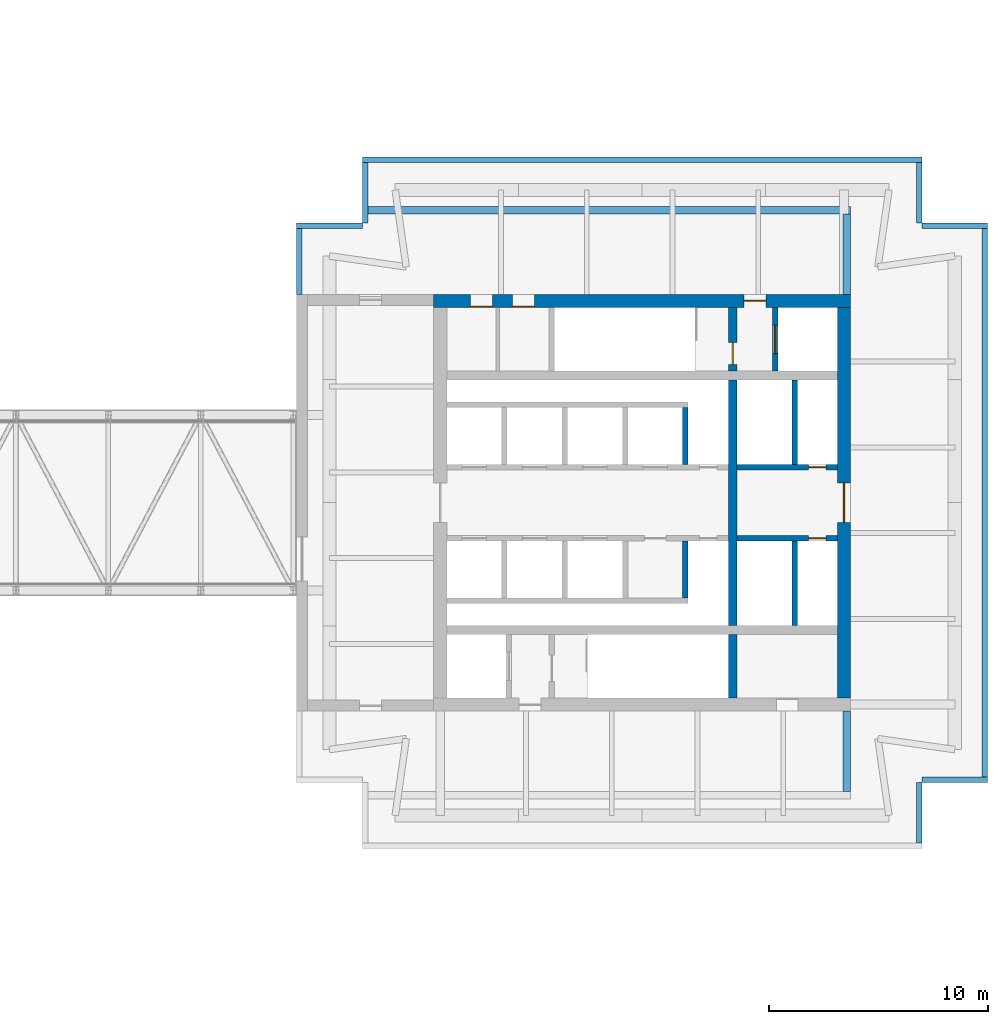
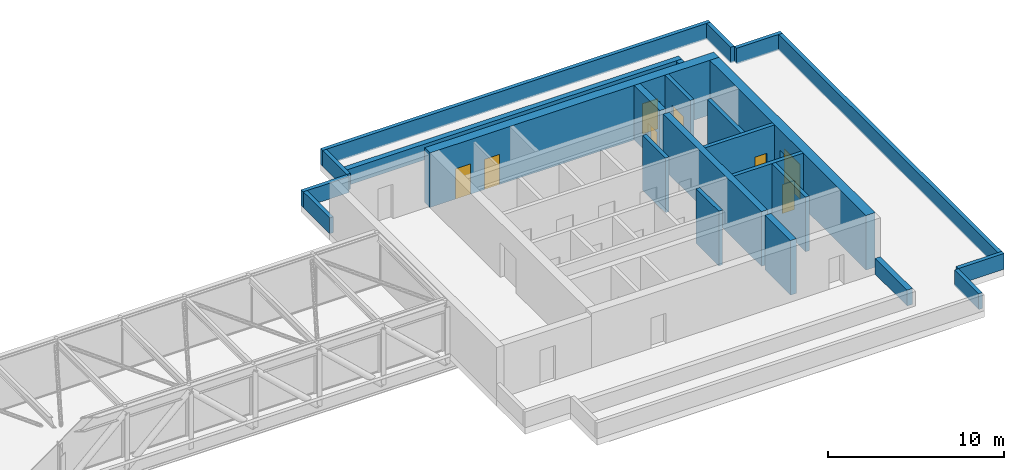
# One storey, part 17 of 19: 24 walls, 8 doors, 8 openings.
"""IFC4 building model written with IfcOpenShell, lengths in metres."""

from ifc_helpers import new_model, si_unit, direction, frame, frame_2d, origin, place, context, subcontext, project, spatial, rectangle, extrude, material, layer, layer_set, type_object, element, fill, save


model = new_model("IFC4")

# Units and contexts
model_context = context("Model", 3, precision=1e-05, world=origin(), true_north=direction((0.0, 1.0)))
body_context = subcontext(model_context, "Body", "Model", "MODEL_VIEW")
ifc_project = project(units=[si_unit("LENGTHUNIT", "METRE"), si_unit("AREAUNIT", "SQUARE_METRE"), si_unit("VOLUMEUNIT", "CUBIC_METRE"), si_unit("PLANEANGLEUNIT", "RADIAN"), si_unit("MASSUNIT", "GRAM", prefix="KILO")], contexts=[model_context])

# Site, building, storey
site_placement = place(None, origin())
site = spatial("IfcSite", under=ifc_project, at=site_placement, CompositionType="ELEMENT")
building_placement = place(site_placement, origin())
building = spatial("IfcBuilding", under=site, at=building_placement, Name="Ostroluk Exchange", CompositionType="ELEMENT")
storey_placement = place(building_placement, frame((0.0, 0.0, 131.199951171875)))
storey = spatial("IfcBuildingStorey", under=building, at=storey_placement, Name="L33", CompositionType="ELEMENT", Elevation=131.199951171875)

# Walls
ifc_material_1 = material(Name="Concrete C50/60", Category="concrete")
ifc_layer_1 = layer(ifc_material_1, 0.39990234375)
ifc_layer_set_1 = layer_set([ifc_layer_1], Name="Core cross wall 400 C50/60")
wall_type_1 = type_object("IfcWallType", Name="Core cross wall 400 C50/60", PredefinedType="SHEAR", material=ifc_layer_set_1)
wall_1_placement = place(storey_placement, frame((121.1298828125, 37.10009765625, 0.0), z_axis=(0.0, 0.0, 1.0), x_axis=(0.0, 1.0, 0.0)))
element("IfcWall", 1, at=wall_1_placement, inside=storey, type_object=wall_type_1, Name="T2 core wall YE1", PredefinedType="SHEAR", context=body_context, shape_type="SweptSolid", body=[
    extrude(rectangle(XDim=2.89990234375, YDim=0.39990234375, at=frame_2d((1.449951171875, 0.0))), origin(), (0.0, 0.0, 1.0), 3.800048828125),
])
wall_2_placement = place(storey_placement, frame((121.1298828125, 40.39990234375, 0.0), z_axis=(0.0, 0.0, 1.0), x_axis=(0.0, 1.0, 0.0)))
element("IfcWall", 2, at=wall_2_placement, inside=storey, type_object=wall_type_1, Name="T2 core wall YE2", PredefinedType="SHEAR", context=body_context, shape_type="SweptSolid", body=[
    extrude(rectangle(XDim=11.2001953125, YDim=0.39990234375, at=frame_2d((5.60009765625, 0.0))), origin(), (0.0, 0.0, 1.0), 3.800048828125),
])

# Wall, opening, door
wall_3_placement = place(storey_placement, frame((121.1298828125, 52.0, 0.0), z_axis=(0.0, 0.0, 1.0), x_axis=(0.0, 1.0, 0.0)))
wall_3 = element("IfcWall", 3, at=wall_3_placement, inside=storey, type_object=wall_type_1, Name="T2 core wall YE3", PredefinedType="SHEAR", context=body_context, shape_type="SweptSolid", body=[
    extrude(rectangle(XDim=2.89990234375, YDim=0.39990234375, at=frame_2d((1.449951171875, 0.0))), origin(), (0.0, 0.0, 1.0), 3.800048828125),
])
opening_1_placement = place(wall_3_placement, frame((0.300048828125, 0.0, 0.0)))
opening_1 = element("IfcOpeningElement", 4, at=opening_1_placement, cuts=wall_3, Name="Opening FD60", PredefinedType="OPENING", context=body_context, shape_type="SweptSolid", body=[
    extrude(rectangle(XDim=1.0, YDim=2.10009765625, at=frame_2d((0.5, 1.050048828125))), frame((0.0, 0.2099609375, 0.0), z_axis=(0.0, -1.0, 0.0), x_axis=(1.0, 0.0, 0.0)), (0.0, 0.0, 1.0), 0.419921875),
])
ifc_material_2 = material(Name="Steel", Category="steel")
door_type_1 = type_object("IfcDoorType", Name="Fire door EI 60 1000 x 2100", OperationType="SINGLE_SWING_LEFT", PredefinedType="DOOR", material=ifc_material_2)
door_1_placement = place(opening_1_placement, origin())
door_1 = element("IfcDoor", 5, at=door_1_placement, inside=storey, type_object=door_type_1, Name="Stair T2-S2 door", OperationType="SINGLE_SWING_LEFT", OverallHeight=2.10009765625, OverallWidth=1.0, PredefinedType="DOOR", context=body_context, shape_type="SweptSolid", body=[
    extrude(rectangle(XDim=1.0, YDim=2.10009765625, at=frame_2d((0.5, 1.050048828125))), frame((0.0, 0.02490234375, 0.0), z_axis=(0.0, -1.0, 0.0), x_axis=(1.0, 0.0, 0.0)), (0.0, 0.0, 1.0), 0.050048828125),
])
fill(opening_1, door_1)

ifc_material_3 = material(Name="Concrete C40/50", Category="concrete")
ifc_layer_2 = layer(ifc_material_3, 0.25)
ifc_layer_set_2 = layer_set([ifc_layer_2], Name="Core shaft wall 250")
wall_type_2 = type_object("IfcWallType", Name="Core shaft wall 250", PredefinedType="SHEAR", material=ifc_layer_set_2)
wall_4_placement = place(storey_placement, frame((123.074951171875, 52.0, 0.0), z_axis=(0.0, 0.0, 1.0), x_axis=(0.0, 1.0, 0.0)))
wall_4 = element("IfcWall", 6, at=wall_4_placement, inside=storey, type_object=wall_type_2, Name="Firefighting lift shaft wall", PredefinedType="SHEAR", context=body_context, shape_type="SweptSolid", body=[
    extrude(rectangle(XDim=2.89990234375, YDim=0.25, at=frame_2d((1.449951171875, 0.0))), origin(), (0.0, 0.0, 1.0), 3.800048828125),
])
opening_2_placement = place(wall_4_placement, frame((0.800048828125, 0.0, 0.0)))
opening_2 = element("IfcOpeningElement", 7, at=opening_2_placement, cuts=wall_4, Name="Opening LD2", PredefinedType="OPENING", context=body_context, shape_type="SweptSolid", body=[
    extrude(rectangle(XDim=1.300048828125, YDim=2.199951171875, at=frame_2d((0.64990234375, 1.10009765625))), frame((0.0, 0.135009765625, 0.0), z_axis=(0.0, -1.0, 0.0), x_axis=(1.0, 0.0, 0.0)), (0.0, 0.0, 1.0), 0.27001953125),
])
ifc_material_4 = material(Name="Stainless steel", Category="steel")
door_type_2 = type_object("IfcDoorType", Name="Lift landing door E 60 1300 x 2200", OperationType="DOUBLE_DOOR_SLIDING", PredefinedType="DOOR", material=ifc_material_4)
door_2_placement = place(opening_2_placement, origin())
door_2 = element("IfcDoor", 8, at=door_2_placement, inside=storey, type_object=door_type_2, Name="Lift HF2 landing door", OperationType="DOUBLE_DOOR_SLIDING", OverallHeight=2.199951171875, OverallWidth=1.300048828125, PredefinedType="DOOR", context=body_context, shape_type="SweptSolid", body=[
    extrude(rectangle(XDim=1.300048828125, YDim=2.199951171875, at=frame_2d((0.64990234375, 1.10009765625))), frame((0.0, 0.02490234375, 0.0), z_axis=(0.0, -1.0, 0.0), x_axis=(1.0, 0.0, 0.0)), (0.0, 0.0, 1.0), 0.050048828125),
])
fill(opening_2, door_2)

# Walls
for number, where, z_axis, x_axis, name in (
    (9, (118.97509765625, 47.75, 0.0), (0.0, 0.0, 1.0), (0.0, 1.0, 0.0), "Lift shaft wall"),
    (10, (118.97509765625, 44.25, 0.0), (0.0, 0.0, 1.0), (0.0, -1.0, 0.0), "Lift shaft wall"),
):
    element("IfcWall", number, at=place(storey_placement, frame(where, z_axis=z_axis, x_axis=x_axis)), inside=storey, type_object=wall_type_2, Name=name, PredefinedType="SHEAR", context=body_context, shape_type="SweptSolid", body=[
        extrude(rectangle(XDim=2.60009765625, YDim=0.25, at=frame_2d((1.300048828125, 0.0))), origin(), (0.0, 0.0, 1.0), 3.800048828125),
    ])
wall_5_placement = place(storey_placement, frame((123.955078125, 47.75, 0.0), z_axis=(0.0, 0.0, 1.0), x_axis=(0.0, 1.0, 0.0)))
element("IfcWall", 11, at=wall_5_placement, inside=storey, type_object=wall_type_2, Name="Lift shaft wall", PredefinedType="SHEAR", context=body_context, shape_type="SweptSolid", body=[
    extrude(rectangle(XDim=3.85009765625, YDim=0.25, at=frame_2d((1.925048828125, 0.0))), origin(), (0.0, 0.0, 1.0), 3.800048828125),
])

# Wall, opening, door
wall_6_placement = place(storey_placement, frame((121.330078125, 47.625, 0.0), z_axis=(0.0, 0.0, 1.0), x_axis=(1.0, 0.0, 0.0)))
wall_6 = element("IfcWall", 12, at=wall_6_placement, inside=storey, type_object=wall_type_2, Name="Lift shaft front wall", PredefinedType="SHEAR", context=body_context, shape_type="SweptSolid", body=[
    extrude(rectangle(XDim=4.56982421875, YDim=0.25, at=frame_2d((2.284912109375, 0.0))), origin(), (0.0, 0.0, 1.0), 3.800048828125),
])
opening_3_placement = place(wall_6_placement, frame((3.260009765625, 0.0, 0.0)))
opening_3 = element("IfcOpeningElement", 13, at=opening_3_placement, cuts=wall_6, Name="Opening RD60", PredefinedType="OPENING", context=body_context, shape_type="SweptSolid", body=[
    extrude(rectangle(XDim=0.800048828125, YDim=2.0, at=frame_2d((0.39990234375, 1.0))), frame((0.0, 0.135009765625, 0.0), z_axis=(0.0, -1.0, 0.0), x_axis=(1.0, 0.0, 0.0)), (0.0, 0.0, 1.0), 0.27001953125),
])
ifc_material_5 = material(Name="Steel", Category="steel")
door_type_3 = type_object("IfcDoorType", Name="Riser access door EI 60 800 x 2000", OperationType="SINGLE_SWING_LEFT", PredefinedType="DOOR", material=ifc_material_5)
door_3_placement = place(opening_3_placement, origin())
door_3 = element("IfcDoor", 14, at=door_3_placement, inside=storey, type_object=door_type_3, Name="Riser access door", OperationType="SINGLE_SWING_RIGHT", OverallHeight=2.0, OverallWidth=0.800048828125, PredefinedType="DOOR", context=body_context, shape_type="SweptSolid", body=[
    extrude(rectangle(XDim=0.800048828125, YDim=2.0, at=frame_2d((0.39990234375, 1.0))), frame((0.0, 0.02490234375, 0.0), z_axis=(0.0, -1.0, 0.0), x_axis=(1.0, 0.0, 0.0)), (0.0, 0.0, 1.0), 0.050048828125),
])
fill(opening_3, door_3)

# Wall
wall_7_placement = place(storey_placement, frame((123.955078125, 44.25, 0.0), z_axis=(0.0, 0.0, 1.0), x_axis=(0.0, -1.0, 0.0)))
element("IfcWall", 15, at=wall_7_placement, inside=storey, type_object=wall_type_2, Name="Lift shaft wall", PredefinedType="SHEAR", context=body_context, shape_type="SweptSolid", body=[
    extrude(rectangle(XDim=3.85009765625, YDim=0.25, at=frame_2d((1.925048828125, 0.0))), origin(), (0.0, 0.0, 1.0), 3.800048828125),
])

# Wall, opening, door
wall_8_placement = place(storey_placement, frame((121.330078125, 44.375, 0.0), z_axis=(0.0, 0.0, 1.0), x_axis=(1.0, 0.0, 0.0)))
wall_8 = element("IfcWall", 16, at=wall_8_placement, inside=storey, type_object=wall_type_2, Name="Lift shaft front wall", PredefinedType="SHEAR", context=body_context, shape_type="SweptSolid", body=[
    extrude(rectangle(XDim=4.56982421875, YDim=0.25, at=frame_2d((2.284912109375, 0.0))), origin(), (0.0, 0.0, 1.0), 3.800048828125),
])
opening_4_placement = place(wall_8_placement, frame((3.260009765625, 0.0, 0.0)))
opening_4 = element("IfcOpeningElement", 17, at=opening_4_placement, cuts=wall_8, Name="Opening RD60", PredefinedType="OPENING", context=body_context, shape_type="SweptSolid", body=[
    extrude(rectangle(XDim=0.800048828125, YDim=2.0, at=frame_2d((0.39990234375, 1.0))), frame((0.0, 0.135009765625, 0.0), z_axis=(0.0, -1.0, 0.0), x_axis=(1.0, 0.0, 0.0)), (0.0, 0.0, 1.0), 0.27001953125),
])
door_4_placement = place(opening_4_placement, origin())
door_4 = element("IfcDoor", 18, at=door_4_placement, inside=storey, type_object=door_type_3, Name="Riser access door", OperationType="SINGLE_SWING_RIGHT", OverallHeight=2.0, OverallWidth=0.800048828125, PredefinedType="DOOR", context=body_context, shape_type="SweptSolid", body=[
    extrude(rectangle(XDim=0.800048828125, YDim=2.0, at=frame_2d((0.39990234375, 1.0))), frame((0.0, 0.02490234375, 0.0), z_axis=(0.0, -1.0, 0.0), x_axis=(1.0, 0.0, 0.0)), (0.0, 0.0, 1.0), 0.050048828125),
])
fill(opening_4, door_4)

# Wall, openings, doors
ifc_material_6 = material(Name="Concrete C50/60", Category="concrete")
ifc_layer_3 = layer(ifc_material_6, 0.60009765625)
ifc_layer_set_3 = layer_set([ifc_layer_3], Name="Core wall 600 C50/60")
wall_type_3 = type_object("IfcWallType", Name="Core wall 600 C50/60", PredefinedType="SHEAR", material=ifc_layer_set_3)
wall_9_placement = place(storey_placement, frame((107.5, 55.199951171875, 0.0), z_axis=(0.0, 0.0, 1.0), x_axis=(1.0, 0.0, 0.0)))
wall_9 = element("IfcWall", 19, at=wall_9_placement, inside=storey, type_object=wall_type_3, Name="T2 core wall N", PredefinedType="SHEAR", context=body_context, shape_type="SweptSolid", body=[
    extrude(rectangle(XDim=19.0, YDim=0.60009765625, at=frame_2d((9.5, 0.0))), origin(), (0.0, 0.0, 1.0), 3.800048828125),
])
opening_5_placement = place(wall_9_placement, frame((14.139892578125, 0.0, 0.0)))
opening_5 = element("IfcOpeningElement", 20, at=opening_5_placement, cuts=wall_9, Name="Opening FD60", PredefinedType="OPENING", context=body_context, shape_type="SweptSolid", body=[
    extrude(rectangle(XDim=1.0, YDim=2.10009765625, at=frame_2d((0.5, 1.050048828125))), frame((0.0, 0.31005859375, 0.0), z_axis=(0.0, -1.0, 0.0), x_axis=(1.0, 0.0, 0.0)), (0.0, 0.0, 1.0), 0.6201171875),
])
opening_6_placement = place(wall_9_placement, frame((1.675048828125, 0.0, 0.0)))
opening_6 = element("IfcOpeningElement", 21, at=opening_6_placement, cuts=wall_9, Name="Opening FD60", PredefinedType="OPENING", context=body_context, shape_type="SweptSolid", body=[
    extrude(rectangle(XDim=1.0, YDim=2.10009765625, at=frame_2d((0.5, 1.050048828125))), frame((0.0, 0.31005859375, 0.0), z_axis=(0.0, -1.0, 0.0), x_axis=(1.0, 0.0, 0.0)), (0.0, 0.0, 1.0), 0.6201171875),
])
opening_7_placement = place(wall_9_placement, frame((3.58740234375, 0.0, 0.0)))
opening_7 = element("IfcOpeningElement", 22, at=opening_7_placement, cuts=wall_9, Name="Opening FD60", PredefinedType="OPENING", context=body_context, shape_type="SweptSolid", body=[
    extrude(rectangle(XDim=1.0, YDim=2.10009765625, at=frame_2d((0.5, 1.050048828125))), frame((0.0, 0.31005859375, 0.0), z_axis=(0.0, -1.0, 0.0), x_axis=(1.0, 0.0, 0.0)), (0.0, 0.0, 1.0), 0.6201171875),
])
door_5_placement = place(opening_5_placement, origin())
door_5 = element("IfcDoor", 23, at=door_5_placement, inside=storey, type_object=door_type_1, Name="Firefighting lobby door", OperationType="SINGLE_SWING_RIGHT", OverallHeight=2.10009765625, OverallWidth=1.0, PredefinedType="DOOR", context=body_context, shape_type="SweptSolid", body=[
    extrude(rectangle(XDim=1.0, YDim=2.10009765625, at=frame_2d((0.5, 1.050048828125))), frame((0.0, 0.02490234375, 0.0), z_axis=(0.0, -1.0, 0.0), x_axis=(1.0, 0.0, 0.0)), (0.0, 0.0, 1.0), 0.050048828125),
])
fill(opening_5, door_5)
door_6_placement = place(opening_6_placement, origin())
door_6 = element("IfcDoor", 24, at=door_6_placement, inside=storey, type_object=door_type_1, Name="Guest pantry door", OperationType="SINGLE_SWING_LEFT", OverallHeight=2.10009765625, OverallWidth=1.0, PredefinedType="DOOR", context=body_context, shape_type="SweptSolid", body=[
    extrude(rectangle(XDim=1.0, YDim=2.10009765625, at=frame_2d((0.5, 1.050048828125))), frame((0.0, -0.23974609375, 0.0), z_axis=(0.0, -1.0, 0.0), x_axis=(1.0, 0.0, 0.0)), (0.0, 0.0, 1.0), 0.050048828125),
])
fill(opening_6, door_6)
door_7_placement = place(opening_7_placement, origin())
door_7 = element("IfcDoor", 25, at=door_7_placement, inside=storey, type_object=door_type_1, Name="Ice and vending room door", OperationType="SINGLE_SWING_LEFT", OverallHeight=2.10009765625, OverallWidth=1.0, PredefinedType="DOOR", context=body_context, shape_type="SweptSolid", body=[
    extrude(rectangle(XDim=1.0, YDim=2.10009765625, at=frame_2d((0.5, 1.050048828125))), frame((0.0, -0.23974609375, 0.0), z_axis=(0.0, -1.0, 0.0), x_axis=(1.0, 0.0, 0.0)), (0.0, 0.0, 1.0), 0.050048828125),
])
fill(opening_7, door_7)

# Wall, opening, door
wall_10_placement = place(storey_placement, frame((126.199951171875, 37.10009765625, 0.0), z_axis=(0.0, 0.0, 1.0), x_axis=(0.0, 1.0, 0.0)))
wall_10 = element("IfcWall", 26, at=wall_10_placement, inside=storey, type_object=wall_type_3, Name="T2 core wall E", PredefinedType="SHEAR", context=body_context, shape_type="SweptSolid", body=[
    extrude(rectangle(XDim=17.7998046875, YDim=0.60009765625, at=frame_2d((8.89990234375, 0.0))), origin(), (0.0, 0.0, 1.0), 3.800048828125),
])
opening_8_placement = place(wall_10_placement, frame((8.0, 0.0, 0.0)))
opening_8 = element("IfcOpeningElement", 27, at=opening_8_placement, cuts=wall_10, Name="Opening FD30D", PredefinedType="OPENING", context=body_context, shape_type="SweptSolid", body=[
    extrude(rectangle(XDim=1.800048828125, YDim=2.39990234375, at=frame_2d((0.89990234375, 1.199951171875))), frame((0.0, 0.31005859375, 0.0), z_axis=(0.0, -1.0, 0.0), x_axis=(1.0, 0.0, 0.0)), (0.0, 0.0, 1.0), 0.6201171875),
])
ifc_material_7 = material(Name="Timber", Category="wood")
door_type_4 = type_object("IfcDoorType", Name="Lobby double door EI 30 1800 x 2400", OperationType="DOUBLE_DOOR_SINGLE_SWING", PredefinedType="DOOR", material=ifc_material_7)
door_8_placement = place(opening_8_placement, origin())
door_8 = element("IfcDoor", 28, at=door_8_placement, inside=storey, type_object=door_type_4, Name="Lift lobby doors", OperationType="DOUBLE_DOOR_SINGLE_SWING", OverallHeight=2.39990234375, OverallWidth=1.800048828125, PredefinedType="DOOR", context=body_context, shape_type="SweptSolid", body=[
    extrude(rectangle(XDim=1.800048828125, YDim=2.39990234375, at=frame_2d((0.89990234375, 1.199951171875))), frame((0.0, 0.02490234375, 0.0), z_axis=(0.0, -1.0, 0.0), x_axis=(1.0, 0.0, 0.0)), (0.0, 0.0, 1.0), 0.050048828125),
])
fill(opening_8, door_8)

# Walls
ifc_material_8 = material(Name="Limestone", Category="masonry")
ifc_layer_4 = layer(ifc_material_8, 0.25)
ifc_layer_set_4 = layer_set([ifc_layer_4], Name="Green roof parapet 250")
wall_type_4 = type_object("IfcWallType", Name="Green roof parapet 250", PredefinedType="PARAPET", material=ifc_layer_set_4)
for number, where, z_axis, x_axis, name in (
    (29, (101.375, 55.5, 0.0), (0.0, 0.0, 1.0), (0.0, 1.0, 0.0), "Roof parapet 3"),
    (30, (101.25, 58.625, 0.0), (0.0, 0.0, 1.0), (1.0, 0.0, 0.0), "Roof parapet 4"),
):
    element("IfcWall", number, at=place(storey_placement, frame(where, z_axis=z_axis, x_axis=x_axis)), inside=storey, type_object=wall_type_4, Name=name, PredefinedType="PARAPET", context=body_context, shape_type="SweptSolid", body=[
        extrude(rectangle(XDim=3.0, YDim=0.25, at=frame_2d((1.5, 0.0))), origin(), (0.0, 0.0, 1.0), 1.10009765625),
    ])
wall_11_placement = place(storey_placement, frame((104.375, 58.75, 0.0), z_axis=(0.0, 0.0, 1.0), x_axis=(0.0, 1.0, 0.0)))
element("IfcWall", 31, at=wall_11_placement, inside=storey, type_object=wall_type_4, Name="Roof parapet 7", PredefinedType="PARAPET", context=body_context, shape_type="SweptSolid", body=[
    extrude(rectangle(XDim=2.75, YDim=0.25, at=frame_2d((1.375, 0.0))), origin(), (0.0, 0.0, 1.0), 1.10009765625),
])
wall_12_placement = place(storey_placement, frame((104.25, 61.625, 0.0), z_axis=(0.0, 0.0, 1.0), x_axis=(1.0, 0.0, 0.0)))
element("IfcWall", 32, at=wall_12_placement, inside=storey, type_object=wall_type_4, Name="Roof parapet 8", PredefinedType="PARAPET", context=body_context, shape_type="SweptSolid", body=[
    extrude(rectangle(XDim=25.5, YDim=0.25, at=frame_2d((12.75, 0.0))), origin(), (0.0, 0.0, 1.0), 1.10009765625),
])
for number, where, z_axis, x_axis, name in (
    (33, (129.625, 30.5, 0.0), (0.0, 0.0, 1.0), (0.0, 1.0, 0.0), "Roof parapet 9"),
    (34, (129.625, 58.75, 0.0), (0.0, 0.0, 1.0), (0.0, 1.0, 0.0), "Roof parapet 10"),
):
    element("IfcWall", number, at=place(storey_placement, frame(where, z_axis=z_axis, x_axis=x_axis)), inside=storey, type_object=wall_type_4, Name=name, PredefinedType="PARAPET", context=body_context, shape_type="SweptSolid", body=[
        extrude(rectangle(XDim=2.75, YDim=0.25, at=frame_2d((1.375, 0.0))), origin(), (0.0, 0.0, 1.0), 1.10009765625),
    ])
for number, where, z_axis, x_axis, name in (
    (35, (129.75, 33.375, 0.0), (0.0, 0.0, 1.0), (1.0, 0.0, 0.0), "Roof parapet 11"),
    (36, (129.75, 58.625, 0.0), (0.0, 0.0, 1.0), (1.0, 0.0, 0.0), "Roof parapet 12"),
):
    element("IfcWall", number, at=place(storey_placement, frame(where, z_axis=z_axis, x_axis=x_axis)), inside=storey, type_object=wall_type_4, Name=name, PredefinedType="PARAPET", context=body_context, shape_type="SweptSolid", body=[
        extrude(rectangle(XDim=3.0, YDim=0.25, at=frame_2d((1.5, 0.0))), origin(), (0.0, 0.0, 1.0), 1.10009765625),
    ])
wall_13_placement = place(storey_placement, frame((132.625, 33.5, 0.0), z_axis=(0.0, 0.0, 1.0), x_axis=(0.0, 1.0, 0.0)))
element("IfcWall", 37, at=wall_13_placement, inside=storey, type_object=wall_type_4, Name="Roof parapet 13", PredefinedType="PARAPET", context=body_context, shape_type="SweptSolid", body=[
    extrude(rectangle(XDim=25.0, YDim=0.25, at=frame_2d((12.5, 0.0))), origin(), (0.0, 0.0, 1.0), 1.10009765625),
])
ifc_material_9 = material(Name="Limestone", Category="masonry")
ifc_layer_5 = layer(ifc_material_9, 0.35009765625)
ifc_layer_set_5 = layer_set([ifc_layer_5], Name="Planter wall 350")
wall_type_5 = type_object("IfcWallType", Name="Planter wall 350", PredefinedType="PARAPET", material=ifc_layer_set_5)
wall_14_placement = place(storey_placement, frame((126.324951171875, 32.85009765625, 0.0), z_axis=(0.0, 0.0, 1.0), x_axis=(0.0, 1.0, 0.0)))
element("IfcWall", 38, at=wall_14_placement, inside=storey, type_object=wall_type_5, Name="Roof garden planter wall 1.2", PredefinedType="PARAPET", context=body_context, shape_type="SweptSolid", body=[
    extrude(rectangle(XDim=3.64990234375, YDim=0.35009765625, at=frame_2d((1.824951171875, 0.0))), origin(), (0.0, 0.0, 1.0), 1.10009765625),
])
wall_15_placement = place(storey_placement, frame((104.5, 59.324951171875, 0.0), z_axis=(0.0, 0.0, 1.0), x_axis=(1.0, 0.0, 0.0)))
element("IfcWall", 39, at=wall_15_placement, inside=storey, type_object=wall_type_5, Name="Roof garden planter wall 2.1", PredefinedType="PARAPET", context=body_context, shape_type="SweptSolid", body=[
    extrude(rectangle(XDim=22.0, YDim=0.35009765625, at=frame_2d((11.0, 0.0))), origin(), (0.0, 0.0, 1.0), 1.10009765625),
])
wall_16_placement = place(storey_placement, frame((126.324951171875, 55.5, 0.0), z_axis=(0.0, 0.0, 1.0), x_axis=(0.0, 1.0, 0.0)))
element("IfcWall", 40, at=wall_16_placement, inside=storey, type_object=wall_type_5, Name="Roof garden planter wall 2.2", PredefinedType="PARAPET", context=body_context, shape_type="SweptSolid", body=[
    extrude(rectangle(XDim=3.64990234375, YDim=0.35009765625, at=frame_2d((1.824951171875, 0.0))), origin(), (0.0, 0.0, 1.0), 1.10009765625),
])

save(model, "model.ifc")
